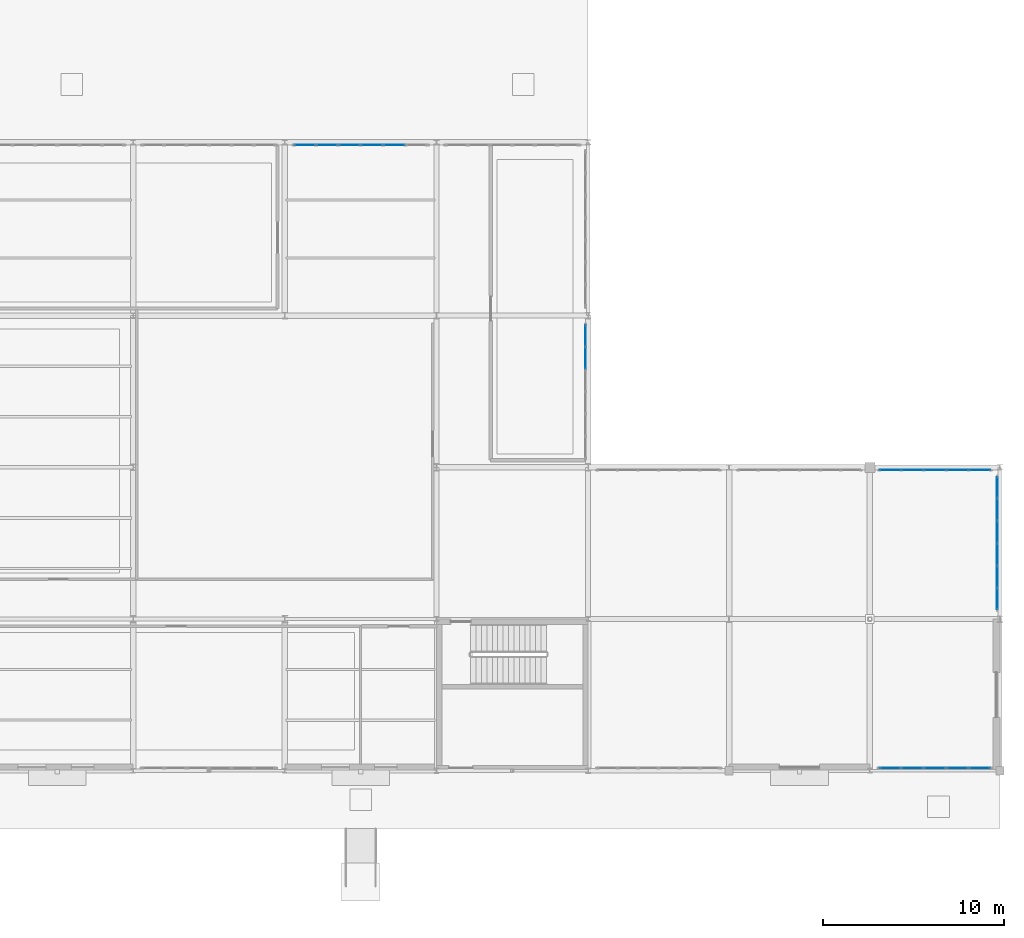
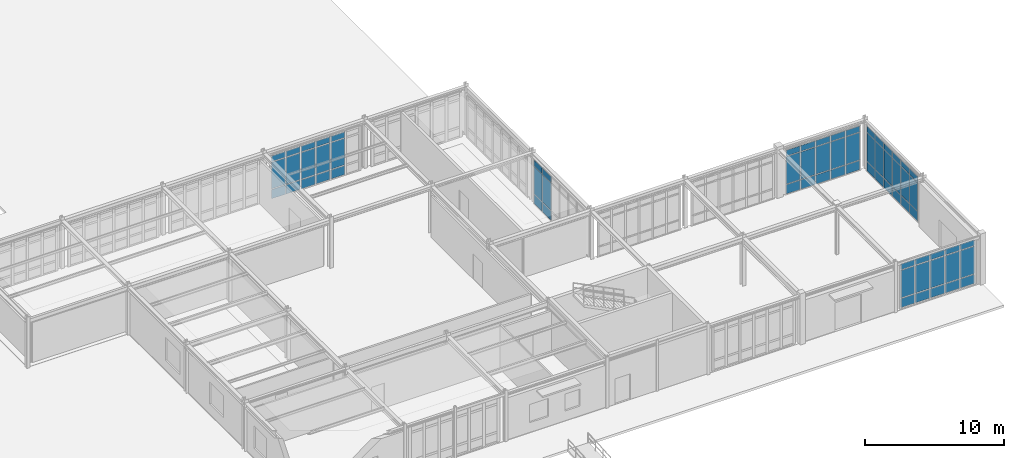
# One storey, part 72 of 101: 69 plates, 5 elements without a shape of their own.
"""IFC4 building model written with IfcOpenShell, lengths in metres."""

from ifc_helpers import new_model, si_unit, derived_unit, direction, frame, origin, origin_2d, place, context, subcontext, project, spatial, rectangle, extrude, material, layer, layer_set, type_object, element, aggregate, save


model = new_model("IFC4")

# Units and contexts
model_context = context("Model", 3, precision=1e-05, world=origin(), true_north=direction((0.0, 1.0)))
body_context = subcontext(model_context, "Body", "Model", "MODEL_VIEW")
ifc_project = project(units=[si_unit("LENGTHUNIT", "METRE"), si_unit("AREAUNIT", "SQUARE_METRE"), si_unit("VOLUMEUNIT", "CUBIC_METRE"), si_unit("PLANEANGLEUNIT", "RADIAN"), si_unit("MASSUNIT", "GRAM", prefix="KILO"), derived_unit("THERMALTRANSMITTANCEUNIT", [(si_unit("POWERUNIT", "WATT"), 1), (si_unit("AREAUNIT", "SQUARE_METRE"), -1), (si_unit("THERMODYNAMICTEMPERATUREUNIT", "KELVIN"), -1)])], contexts=[model_context])

# Site, building, storey
site_placement = place(None, origin())
site = spatial("IfcSite", under=ifc_project, at=site_placement, CompositionType="ELEMENT")
building_placement = place(site_placement, origin())
building = spatial("IfcBuilding", under=site, at=building_placement, Name="Yasenodar Specialist Clinic", CompositionType="ELEMENT")
storey_placement = place(building_placement, origin())
storey = spatial("IfcBuildingStorey", under=building, at=storey_placement, Name="L00", CompositionType="ELEMENT", Elevation=0.0)

# Curtain wall, plates
ifc_material_1 = material(Name="Bronze Anodized Aluminium and Triple Low-E Glass", Category="aluminium")
ifc_layer_1 = layer(ifc_material_1, 0.178955078125)
ifc_layer_set_1 = layer_set([ifc_layer_1], Name="Bronze Anodized Aluminium and Triple Low-E Glass")
curtain_wall_type = type_object("IfcCurtainWallType", Name="CW-SYS-02", PredefinedType="USERDEFINED", material=ifc_layer_set_1)
curtain_wall_1_placement = place(storey_placement, origin())
curtain_wall_1 = element("IfcCurtainWall", 1, at=curtain_wall_1_placement, inside=storey, type_object=curtain_wall_type, Name="L00 Unitised Curtain Wall 084", ObjectType="UNITISED CURTAIN WALL", PredefinedType="USERDEFINED")
ifc_material_2 = material(Name="Triple Low-E Argon Glazing", Category="glass")
ifc_layer_2 = layer(ifc_material_2, 0.028076171875)
ifc_layer_set_2 = layer_set([ifc_layer_2], Name="Triple Low-E Argon Glazing")
plate_type_1 = type_object("IfcPlateType", Name="CW-PAN-1", PredefinedType="CURTAIN_PANEL", material=ifc_layer_set_2)
plate_1_placement = place(storey_placement, frame((122.91748046875, 34.64990234375, 0.070068359375), z_axis=(0.0, 0.0, 1.0), x_axis=(1.0, 0.0, 0.0)))
plate_1 = element("IfcPlate", 2, at=plate_1_placement, type_object=plate_type_1, Name="CW-02 panel 1.1", PredefinedType="CURTAIN_PANEL", context=body_context, shape_type="SweptSolid", body=[
    extrude(rectangle(XDim=1.135009765625, YDim=0.028076171875, at=origin_2d()), origin(), (0.0, 0.0, 1.0), 0.794921875),
])
plate_2_placement = place(storey_placement, frame((122.91748046875, 34.64990234375, 0.93505859375), z_axis=(0.0, 0.0, 1.0), x_axis=(1.0, 0.0, 0.0)))
plate_2 = element("IfcPlate", 3, at=plate_2_placement, type_object=plate_type_1, Name="CW-02 panel 1.2", PredefinedType="CURTAIN_PANEL", context=body_context, shape_type="SweptSolid", body=[
    extrude(rectangle(XDim=1.135009765625, YDim=0.028076171875, at=origin_2d()), origin(), (0.0, 0.0, 1.0), 2.327880859375),
])
plate_3_placement = place(storey_placement, frame((122.91748046875, 34.64990234375, 3.3330078125), z_axis=(0.0, 0.0, 1.0), x_axis=(1.0, 0.0, 0.0)))
plate_3 = element("IfcPlate", 4, at=plate_3_placement, type_object=plate_type_1, Name="CW-02 panel 1.3", PredefinedType="CURTAIN_PANEL", context=body_context, shape_type="SweptSolid", body=[
    extrude(rectangle(XDim=1.135009765625, YDim=0.028076171875, at=origin_2d()), origin(), (0.0, 0.0, 1.0), 0.4951171875),
])
plate_4_placement = place(storey_placement, frame((124.139892578125, 34.64990234375, 0.070068359375), z_axis=(0.0, 0.0, 1.0), x_axis=(1.0, 0.0, 0.0)))
plate_4 = element("IfcPlate", 5, at=plate_4_placement, type_object=plate_type_1, Name="CW-02 panel 2.1", PredefinedType="CURTAIN_PANEL", context=body_context, shape_type="SweptSolid", body=[
    extrude(rectangle(XDim=1.169921875, YDim=0.028076171875, at=origin_2d()), origin(), (0.0, 0.0, 1.0), 0.794921875),
])
plate_5_placement = place(storey_placement, frame((124.139892578125, 34.64990234375, 0.93505859375), z_axis=(0.0, 0.0, 1.0), x_axis=(1.0, 0.0, 0.0)))
plate_5 = element("IfcPlate", 6, at=plate_5_placement, type_object=plate_type_1, Name="CW-02 panel 2.2", PredefinedType="CURTAIN_PANEL", context=body_context, shape_type="SweptSolid", body=[
    extrude(rectangle(XDim=1.169921875, YDim=0.028076171875, at=origin_2d()), origin(), (0.0, 0.0, 1.0), 2.327880859375),
])
plate_6_placement = place(storey_placement, frame((124.139892578125, 34.64990234375, 3.3330078125), z_axis=(0.0, 0.0, 1.0), x_axis=(1.0, 0.0, 0.0)))
plate_6 = element("IfcPlate", 7, at=plate_6_placement, type_object=plate_type_1, Name="CW-02 panel 2.3", PredefinedType="CURTAIN_PANEL", context=body_context, shape_type="SweptSolid", body=[
    extrude(rectangle(XDim=1.169921875, YDim=0.028076171875, at=origin_2d()), origin(), (0.0, 0.0, 1.0), 0.4951171875),
])
plate_7_placement = place(storey_placement, frame((125.3798828125, 34.64990234375, 0.070068359375), z_axis=(0.0, 0.0, 1.0), x_axis=(1.0, 0.0, 0.0)))
plate_7 = element("IfcPlate", 8, at=plate_7_placement, type_object=plate_type_1, Name="CW-02 panel 3.1", PredefinedType="CURTAIN_PANEL", context=body_context, shape_type="SweptSolid", body=[
    extrude(rectangle(XDim=1.169921875, YDim=0.028076171875, at=origin_2d()), origin(), (0.0, 0.0, 1.0), 0.794921875),
])
plate_8_placement = place(storey_placement, frame((125.3798828125, 34.64990234375, 0.93505859375), z_axis=(0.0, 0.0, 1.0), x_axis=(1.0, 0.0, 0.0)))
plate_8 = element("IfcPlate", 9, at=plate_8_placement, type_object=plate_type_1, Name="CW-02 panel 3.2", PredefinedType="CURTAIN_PANEL", context=body_context, shape_type="SweptSolid", body=[
    extrude(rectangle(XDim=1.169921875, YDim=0.028076171875, at=origin_2d()), origin(), (0.0, 0.0, 1.0), 2.327880859375),
])
plate_9_placement = place(storey_placement, frame((125.3798828125, 34.64990234375, 3.3330078125), z_axis=(0.0, 0.0, 1.0), x_axis=(1.0, 0.0, 0.0)))
plate_9 = element("IfcPlate", 10, at=plate_9_placement, type_object=plate_type_1, Name="CW-02 panel 3.3", PredefinedType="CURTAIN_PANEL", context=body_context, shape_type="SweptSolid", body=[
    extrude(rectangle(XDim=1.169921875, YDim=0.028076171875, at=origin_2d()), origin(), (0.0, 0.0, 1.0), 0.4951171875),
])
plate_10_placement = place(storey_placement, frame((126.6201171875, 34.64990234375, 0.070068359375), z_axis=(0.0, 0.0, 1.0), x_axis=(1.0, 0.0, 0.0)))
plate_10 = element("IfcPlate", 11, at=plate_10_placement, type_object=plate_type_1, Name="CW-02 panel 4.1", PredefinedType="CURTAIN_PANEL", context=body_context, shape_type="SweptSolid", body=[
    extrude(rectangle(XDim=1.169921875, YDim=0.028076171875, at=origin_2d()), origin(), (0.0, 0.0, 1.0), 0.794921875),
])
plate_11_placement = place(storey_placement, frame((126.6201171875, 34.64990234375, 0.93505859375), z_axis=(0.0, 0.0, 1.0), x_axis=(1.0, 0.0, 0.0)))
plate_11 = element("IfcPlate", 12, at=plate_11_placement, type_object=plate_type_1, Name="CW-02 panel 4.2", PredefinedType="CURTAIN_PANEL", context=body_context, shape_type="SweptSolid", body=[
    extrude(rectangle(XDim=1.169921875, YDim=0.028076171875, at=origin_2d()), origin(), (0.0, 0.0, 1.0), 2.327880859375),
])
plate_12_placement = place(storey_placement, frame((126.6201171875, 34.64990234375, 3.3330078125), z_axis=(0.0, 0.0, 1.0), x_axis=(1.0, 0.0, 0.0)))
plate_12 = element("IfcPlate", 13, at=plate_12_placement, type_object=plate_type_1, Name="CW-02 panel 4.3", PredefinedType="CURTAIN_PANEL", context=body_context, shape_type="SweptSolid", body=[
    extrude(rectangle(XDim=1.169921875, YDim=0.028076171875, at=origin_2d()), origin(), (0.0, 0.0, 1.0), 0.4951171875),
])
plate_13_placement = place(storey_placement, frame((127.860107421875, 34.64990234375, 0.070068359375), z_axis=(0.0, 0.0, 1.0), x_axis=(1.0, 0.0, 0.0)))
plate_13 = element("IfcPlate", 14, at=plate_13_placement, type_object=plate_type_1, Name="CW-02 panel 5.1", PredefinedType="CURTAIN_PANEL", context=body_context, shape_type="SweptSolid", body=[
    extrude(rectangle(XDim=1.169921875, YDim=0.028076171875, at=origin_2d()), origin(), (0.0, 0.0, 1.0), 0.794921875),
])
plate_14_placement = place(storey_placement, frame((127.860107421875, 34.64990234375, 0.93505859375), z_axis=(0.0, 0.0, 1.0), x_axis=(1.0, 0.0, 0.0)))
plate_14 = element("IfcPlate", 15, at=plate_14_placement, type_object=plate_type_1, Name="CW-02 panel 5.2", PredefinedType="CURTAIN_PANEL", context=body_context, shape_type="SweptSolid", body=[
    extrude(rectangle(XDim=1.169921875, YDim=0.028076171875, at=origin_2d()), origin(), (0.0, 0.0, 1.0), 2.327880859375),
])
plate_15_placement = place(storey_placement, frame((127.860107421875, 34.64990234375, 3.3330078125), z_axis=(0.0, 0.0, 1.0), x_axis=(1.0, 0.0, 0.0)))
plate_15 = element("IfcPlate", 16, at=plate_15_placement, type_object=plate_type_1, Name="CW-02 panel 5.3", PredefinedType="CURTAIN_PANEL", context=body_context, shape_type="SweptSolid", body=[
    extrude(rectangle(XDim=1.169921875, YDim=0.028076171875, at=origin_2d()), origin(), (0.0, 0.0, 1.0), 0.4951171875),
])
aggregate(curtain_wall_1, [plate_1, plate_2, plate_3, plate_4, plate_5, plate_6, plate_7, plate_8, plate_9, plate_10, plate_11, plate_12, plate_13, plate_14, plate_15])

curtain_wall_2_placement = place(storey_placement, origin())
curtain_wall_2 = element("IfcCurtainWall", 17, at=curtain_wall_2_placement, inside=storey, type_object=curtain_wall_type, Name="L00 Unitised Curtain Wall 089", ObjectType="UNITISED CURTAIN WALL", PredefinedType="USERDEFINED")
ifc_layer_3 = layer(ifc_material_2, 0.033935546875)
ifc_layer_set_3 = layer_set([ifc_layer_3], Name="Triple Low-E Argon Glazing")
plate_type_2 = type_object("IfcPlateType", Name="CW-PAN-2", PredefinedType="CURTAIN_PANEL", material=ifc_layer_set_3)
plate_16_placement = place(storey_placement, frame((155.319091796875, 16.64990234375, 0.06005859375), z_axis=(0.0, 0.0, 1.0), x_axis=(1.0, 0.0, 0.0)))
plate_16 = element("IfcPlate", 18, at=plate_16_placement, type_object=plate_type_2, Name="CW-02 panel 1.1", PredefinedType="CURTAIN_PANEL", context=body_context, shape_type="SweptSolid", body=[
    extrude(rectangle(XDim=1.157958984375, YDim=0.033935546875, at=origin_2d()), origin(), (0.0, 0.0, 1.0), 0.81005859375),
])
plate_17_placement = place(storey_placement, frame((155.319091796875, 16.64990234375, 0.929931640625), z_axis=(0.0, 0.0, 1.0), x_axis=(1.0, 0.0, 0.0)))
plate_17 = element("IfcPlate", 19, at=plate_17_placement, type_object=plate_type_2, Name="CW-02 panel 1.2", PredefinedType="CURTAIN_PANEL", context=body_context, shape_type="SweptSolid", body=[
    extrude(rectangle(XDim=1.157958984375, YDim=0.033935546875, at=origin_2d()), origin(), (0.0, 0.0, 1.0), 2.39794921875),
])
plate_18_placement = place(storey_placement, frame((155.319091796875, 16.64990234375, 3.38818359375), z_axis=(0.0, 0.0, 1.0), x_axis=(1.0, 0.0, 0.0)))
plate_18 = element("IfcPlate", 20, at=plate_18_placement, type_object=plate_type_2, Name="CW-02 panel 1.3", PredefinedType="CURTAIN_PANEL", context=body_context, shape_type="SweptSolid", body=[
    extrude(rectangle(XDim=1.157958984375, YDim=0.033935546875, at=origin_2d()), origin(), (0.0, 0.0, 1.0), 0.510009765625),
])
plate_19_placement = place(storey_placement, frame((156.552001953125, 16.64990234375, 0.06005859375), z_axis=(0.0, 0.0, 1.0), x_axis=(1.0, 0.0, 0.0)))
plate_19 = element("IfcPlate", 21, at=plate_19_placement, type_object=plate_type_2, Name="CW-02 panel 2.1", PredefinedType="CURTAIN_PANEL", context=body_context, shape_type="SweptSolid", body=[
    extrude(rectangle(XDim=1.18798828125, YDim=0.033935546875, at=origin_2d()), origin(), (0.0, 0.0, 1.0), 0.81005859375),
])
plate_20_placement = place(storey_placement, frame((156.552001953125, 16.64990234375, 0.929931640625), z_axis=(0.0, 0.0, 1.0), x_axis=(1.0, 0.0, 0.0)))
plate_20 = element("IfcPlate", 22, at=plate_20_placement, type_object=plate_type_2, Name="CW-02 panel 2.2", PredefinedType="CURTAIN_PANEL", context=body_context, shape_type="SweptSolid", body=[
    extrude(rectangle(XDim=1.18798828125, YDim=0.033935546875, at=origin_2d()), origin(), (0.0, 0.0, 1.0), 2.39794921875),
])
plate_21_placement = place(storey_placement, frame((156.552001953125, 16.64990234375, 3.38818359375), z_axis=(0.0, 0.0, 1.0), x_axis=(1.0, 0.0, 0.0)))
plate_21 = element("IfcPlate", 23, at=plate_21_placement, type_object=plate_type_2, Name="CW-02 panel 2.3", PredefinedType="CURTAIN_PANEL", context=body_context, shape_type="SweptSolid", body=[
    extrude(rectangle(XDim=1.18798828125, YDim=0.033935546875, at=origin_2d()), origin(), (0.0, 0.0, 1.0), 0.510009765625),
])
plate_22_placement = place(storey_placement, frame((157.800048828125, 16.64990234375, 0.06005859375), z_axis=(0.0, 0.0, 1.0), x_axis=(1.0, 0.0, 0.0)))
plate_22 = element("IfcPlate", 24, at=plate_22_placement, type_object=plate_type_2, Name="CW-02 panel 3.1", PredefinedType="CURTAIN_PANEL", context=body_context, shape_type="SweptSolid", body=[
    extrude(rectangle(XDim=1.18798828125, YDim=0.033935546875, at=origin_2d()), origin(), (0.0, 0.0, 1.0), 0.81005859375),
])
plate_23_placement = place(storey_placement, frame((157.800048828125, 16.64990234375, 0.929931640625), z_axis=(0.0, 0.0, 1.0), x_axis=(1.0, 0.0, 0.0)))
plate_23 = element("IfcPlate", 25, at=plate_23_placement, type_object=plate_type_2, Name="CW-02 panel 3.2", PredefinedType="CURTAIN_PANEL", context=body_context, shape_type="SweptSolid", body=[
    extrude(rectangle(XDim=1.18798828125, YDim=0.033935546875, at=origin_2d()), origin(), (0.0, 0.0, 1.0), 2.39794921875),
])
plate_24_placement = place(storey_placement, frame((157.800048828125, 16.64990234375, 3.38818359375), z_axis=(0.0, 0.0, 1.0), x_axis=(1.0, 0.0, 0.0)))
plate_24 = element("IfcPlate", 26, at=plate_24_placement, type_object=plate_type_2, Name="CW-02 panel 3.3", PredefinedType="CURTAIN_PANEL", context=body_context, shape_type="SweptSolid", body=[
    extrude(rectangle(XDim=1.18798828125, YDim=0.033935546875, at=origin_2d()), origin(), (0.0, 0.0, 1.0), 0.510009765625),
])
plate_25_placement = place(storey_placement, frame((159.048095703125, 16.64990234375, 0.06005859375), z_axis=(0.0, 0.0, 1.0), x_axis=(1.0, 0.0, 0.0)))
plate_25 = element("IfcPlate", 27, at=plate_25_placement, type_object=plate_type_2, Name="CW-02 panel 4.1", PredefinedType="CURTAIN_PANEL", context=body_context, shape_type="SweptSolid", body=[
    extrude(rectangle(XDim=1.18798828125, YDim=0.033935546875, at=origin_2d()), origin(), (0.0, 0.0, 1.0), 0.81005859375),
])
plate_26_placement = place(storey_placement, frame((159.048095703125, 16.64990234375, 0.929931640625), z_axis=(0.0, 0.0, 1.0), x_axis=(1.0, 0.0, 0.0)))
plate_26 = element("IfcPlate", 28, at=plate_26_placement, type_object=plate_type_2, Name="CW-02 panel 4.2", PredefinedType="CURTAIN_PANEL", context=body_context, shape_type="SweptSolid", body=[
    extrude(rectangle(XDim=1.18798828125, YDim=0.033935546875, at=origin_2d()), origin(), (0.0, 0.0, 1.0), 2.39794921875),
])
plate_27_placement = place(storey_placement, frame((159.048095703125, 16.64990234375, 3.38818359375), z_axis=(0.0, 0.0, 1.0), x_axis=(1.0, 0.0, 0.0)))
plate_27 = element("IfcPlate", 29, at=plate_27_placement, type_object=plate_type_2, Name="CW-02 panel 4.3", PredefinedType="CURTAIN_PANEL", context=body_context, shape_type="SweptSolid", body=[
    extrude(rectangle(XDim=1.18798828125, YDim=0.033935546875, at=origin_2d()), origin(), (0.0, 0.0, 1.0), 0.510009765625),
])
plate_28_placement = place(storey_placement, frame((160.281005859375, 16.64990234375, 0.06005859375), z_axis=(0.0, 0.0, 1.0), x_axis=(1.0, 0.0, 0.0)))
plate_28 = element("IfcPlate", 30, at=plate_28_placement, type_object=plate_type_2, Name="CW-02 panel 5.1", PredefinedType="CURTAIN_PANEL", context=body_context, shape_type="SweptSolid", body=[
    extrude(rectangle(XDim=1.157958984375, YDim=0.033935546875, at=origin_2d()), origin(), (0.0, 0.0, 1.0), 0.81005859375),
])
plate_29_placement = place(storey_placement, frame((160.281005859375, 16.64990234375, 0.929931640625), z_axis=(0.0, 0.0, 1.0), x_axis=(1.0, 0.0, 0.0)))
plate_29 = element("IfcPlate", 31, at=plate_29_placement, type_object=plate_type_2, Name="CW-02 panel 5.2", PredefinedType="CURTAIN_PANEL", context=body_context, shape_type="SweptSolid", body=[
    extrude(rectangle(XDim=1.157958984375, YDim=0.033935546875, at=origin_2d()), origin(), (0.0, 0.0, 1.0), 2.39794921875),
])
plate_30_placement = place(storey_placement, frame((160.281005859375, 16.64990234375, 3.38818359375), z_axis=(0.0, 0.0, 1.0), x_axis=(1.0, 0.0, 0.0)))
plate_30 = element("IfcPlate", 32, at=plate_30_placement, type_object=plate_type_2, Name="CW-02 panel 5.3", PredefinedType="CURTAIN_PANEL", context=body_context, shape_type="SweptSolid", body=[
    extrude(rectangle(XDim=1.157958984375, YDim=0.033935546875, at=origin_2d()), origin(), (0.0, 0.0, 1.0), 0.510009765625),
])
aggregate(curtain_wall_2, [plate_16, plate_17, plate_18, plate_19, plate_20, plate_21, plate_22, plate_23, plate_24, plate_25, plate_26, plate_27, plate_28, plate_29, plate_30])

curtain_wall_3_placement = place(storey_placement, origin())
curtain_wall_3 = element("IfcCurtainWall", 33, at=curtain_wall_3_placement, inside=storey, type_object=curtain_wall_type, Name="L00 Unitised Curtain Wall 078", ObjectType="UNITISED CURTAIN WALL", PredefinedType="USERDEFINED")
ifc_layer_4 = layer(ifc_material_2, 0.0400390625)
ifc_layer_set_4 = layer_set([ifc_layer_4], Name="Triple Low-E Argon Glazing")
plate_type_3 = type_object("IfcPlateType", Name="CW-PAN-3", PredefinedType="CURTAIN_PANEL", material=ifc_layer_set_4)
plate_31_placement = place(storey_placement, frame((160.278564453125, 0.14990234375, 0.070068359375), z_axis=(0.0, 0.0, 1.0), x_axis=(-1.0, 0.0, 0.0)))
plate_31 = element("IfcPlate", 34, at=plate_31_placement, type_object=plate_type_3, Name="CW-02 panel 1.1", PredefinedType="CURTAIN_PANEL", context=body_context, shape_type="SweptSolid", body=[
    extrude(rectangle(XDim=1.14306640625, YDim=0.0400390625, at=origin_2d()), origin(), (0.0, 0.0, 1.0), 0.794921875),
])
plate_32_placement = place(storey_placement, frame((160.278564453125, 0.14990234375, 0.93505859375), z_axis=(0.0, 0.0, 1.0), x_axis=(-1.0, 0.0, 0.0)))
plate_32 = element("IfcPlate", 35, at=plate_32_placement, type_object=plate_type_3, Name="CW-02 panel 1.2", PredefinedType="CURTAIN_PANEL", context=body_context, shape_type="SweptSolid", body=[
    extrude(rectangle(XDim=1.14306640625, YDim=0.0400390625, at=origin_2d()), origin(), (0.0, 0.0, 1.0), 2.407958984375),
])
plate_33_placement = place(storey_placement, frame((160.278564453125, 0.14990234375, 3.412841796875), z_axis=(0.0, 0.0, 1.0), x_axis=(-1.0, 0.0, 0.0)))
plate_33 = element("IfcPlate", 36, at=plate_33_placement, type_object=plate_type_3, Name="CW-02 panel 1.3", PredefinedType="CURTAIN_PANEL", context=body_context, shape_type="SweptSolid", body=[
    extrude(rectangle(XDim=1.14306640625, YDim=0.0400390625, at=origin_2d()), origin(), (0.0, 0.0, 1.0), 0.4951171875),
])
plate_34_placement = place(storey_placement, frame((159.048095703125, 0.14990234375, 0.070068359375), z_axis=(0.0, 0.0, 1.0), x_axis=(-1.0, 0.0, 0.0)))
plate_34 = element("IfcPlate", 37, at=plate_34_placement, type_object=plate_type_3, Name="CW-02 panel 2.1", PredefinedType="CURTAIN_PANEL", context=body_context, shape_type="SweptSolid", body=[
    extrude(rectangle(XDim=1.177978515625, YDim=0.0400390625, at=origin_2d()), origin(), (0.0, 0.0, 1.0), 0.794921875),
])
plate_35_placement = place(storey_placement, frame((159.048095703125, 0.14990234375, 0.93505859375), z_axis=(0.0, 0.0, 1.0), x_axis=(-1.0, 0.0, 0.0)))
plate_35 = element("IfcPlate", 38, at=plate_35_placement, type_object=plate_type_3, Name="CW-02 panel 2.2", PredefinedType="CURTAIN_PANEL", context=body_context, shape_type="SweptSolid", body=[
    extrude(rectangle(XDim=1.177978515625, YDim=0.0400390625, at=origin_2d()), origin(), (0.0, 0.0, 1.0), 2.407958984375),
])
plate_36_placement = place(storey_placement, frame((159.048095703125, 0.14990234375, 3.412841796875), z_axis=(0.0, 0.0, 1.0), x_axis=(-1.0, 0.0, 0.0)))
plate_36 = element("IfcPlate", 39, at=plate_36_placement, type_object=plate_type_3, Name="CW-02 panel 2.3", PredefinedType="CURTAIN_PANEL", context=body_context, shape_type="SweptSolid", body=[
    extrude(rectangle(XDim=1.177978515625, YDim=0.0400390625, at=origin_2d()), origin(), (0.0, 0.0, 1.0), 0.4951171875),
])
plate_37_placement = place(storey_placement, frame((157.800048828125, 0.14990234375, 0.070068359375), z_axis=(0.0, 0.0, 1.0), x_axis=(-1.0, 0.0, 0.0)))
plate_37 = element("IfcPlate", 40, at=plate_37_placement, type_object=plate_type_3, Name="CW-02 panel 3.1", PredefinedType="CURTAIN_PANEL", context=body_context, shape_type="SweptSolid", body=[
    extrude(rectangle(XDim=1.177978515625, YDim=0.0400390625, at=origin_2d()), origin(), (0.0, 0.0, 1.0), 0.794921875),
])
plate_38_placement = place(storey_placement, frame((157.800048828125, 0.14990234375, 0.93505859375), z_axis=(0.0, 0.0, 1.0), x_axis=(-1.0, 0.0, 0.0)))
plate_38 = element("IfcPlate", 41, at=plate_38_placement, type_object=plate_type_3, Name="CW-02 panel 3.2", PredefinedType="CURTAIN_PANEL", context=body_context, shape_type="SweptSolid", body=[
    extrude(rectangle(XDim=1.177978515625, YDim=0.0400390625, at=origin_2d()), origin(), (0.0, 0.0, 1.0), 2.407958984375),
])
plate_39_placement = place(storey_placement, frame((157.800048828125, 0.14990234375, 3.412841796875), z_axis=(0.0, 0.0, 1.0), x_axis=(-1.0, 0.0, 0.0)))
plate_39 = element("IfcPlate", 42, at=plate_39_placement, type_object=plate_type_3, Name="CW-02 panel 3.3", PredefinedType="CURTAIN_PANEL", context=body_context, shape_type="SweptSolid", body=[
    extrude(rectangle(XDim=1.177978515625, YDim=0.0400390625, at=origin_2d()), origin(), (0.0, 0.0, 1.0), 0.4951171875),
])
plate_40_placement = place(storey_placement, frame((156.552001953125, 0.14990234375, 0.070068359375), z_axis=(0.0, 0.0, 1.0), x_axis=(-1.0, 0.0, 0.0)))
plate_40 = element("IfcPlate", 43, at=plate_40_placement, type_object=plate_type_3, Name="CW-02 panel 4.1", PredefinedType="CURTAIN_PANEL", context=body_context, shape_type="SweptSolid", body=[
    extrude(rectangle(XDim=1.177978515625, YDim=0.0400390625, at=origin_2d()), origin(), (0.0, 0.0, 1.0), 0.794921875),
])
plate_41_placement = place(storey_placement, frame((156.552001953125, 0.14990234375, 0.93505859375), z_axis=(0.0, 0.0, 1.0), x_axis=(-1.0, 0.0, 0.0)))
plate_41 = element("IfcPlate", 44, at=plate_41_placement, type_object=plate_type_3, Name="CW-02 panel 4.2", PredefinedType="CURTAIN_PANEL", context=body_context, shape_type="SweptSolid", body=[
    extrude(rectangle(XDim=1.177978515625, YDim=0.0400390625, at=origin_2d()), origin(), (0.0, 0.0, 1.0), 2.407958984375),
])
plate_42_placement = place(storey_placement, frame((156.552001953125, 0.14990234375, 3.412841796875), z_axis=(0.0, 0.0, 1.0), x_axis=(-1.0, 0.0, 0.0)))
plate_42 = element("IfcPlate", 45, at=plate_42_placement, type_object=plate_type_3, Name="CW-02 panel 4.3", PredefinedType="CURTAIN_PANEL", context=body_context, shape_type="SweptSolid", body=[
    extrude(rectangle(XDim=1.177978515625, YDim=0.0400390625, at=origin_2d()), origin(), (0.0, 0.0, 1.0), 0.4951171875),
])
plate_43_placement = place(storey_placement, frame((155.321533203125, 0.14990234375, 0.070068359375), z_axis=(0.0, 0.0, 1.0), x_axis=(-1.0, 0.0, 0.0)))
plate_43 = element("IfcPlate", 46, at=plate_43_placement, type_object=plate_type_3, Name="CW-02 panel 5.1", PredefinedType="CURTAIN_PANEL", context=body_context, shape_type="SweptSolid", body=[
    extrude(rectangle(XDim=1.14306640625, YDim=0.0400390625, at=origin_2d()), origin(), (0.0, 0.0, 1.0), 0.794921875),
])
plate_44_placement = place(storey_placement, frame((155.321533203125, 0.14990234375, 0.93505859375), z_axis=(0.0, 0.0, 1.0), x_axis=(-1.0, 0.0, 0.0)))
plate_44 = element("IfcPlate", 47, at=plate_44_placement, type_object=plate_type_3, Name="CW-02 panel 5.2", PredefinedType="CURTAIN_PANEL", context=body_context, shape_type="SweptSolid", body=[
    extrude(rectangle(XDim=1.14306640625, YDim=0.0400390625, at=origin_2d()), origin(), (0.0, 0.0, 1.0), 2.407958984375),
])
plate_45_placement = place(storey_placement, frame((155.321533203125, 0.14990234375, 3.412841796875), z_axis=(0.0, 0.0, 1.0), x_axis=(-1.0, 0.0, 0.0)))
plate_45 = element("IfcPlate", 48, at=plate_45_placement, type_object=plate_type_3, Name="CW-02 panel 5.3", PredefinedType="CURTAIN_PANEL", context=body_context, shape_type="SweptSolid", body=[
    extrude(rectangle(XDim=1.14306640625, YDim=0.0400390625, at=origin_2d()), origin(), (0.0, 0.0, 1.0), 0.4951171875),
])
aggregate(curtain_wall_3, [plate_31, plate_32, plate_33, plate_34, plate_35, plate_36, plate_37, plate_38, plate_39, plate_40, plate_41, plate_42, plate_43, plate_44, plate_45])

curtain_wall_4_placement = place(storey_placement, origin())
curtain_wall_4 = element("IfcCurtainWall", 49, at=curtain_wall_4_placement, inside=storey, type_object=curtain_wall_type, Name="L00 Unitised Curtain Wall 086", ObjectType="UNITISED CURTAIN WALL", PredefinedType="USERDEFINED")
plate_46_placement = place(storey_placement, frame((161.25, 15.68505859375, 0.06005859375), z_axis=(0.0, 0.0, 1.0), x_axis=(0.0, -1.0, 0.0)))
plate_46 = element("IfcPlate", 50, at=plate_46_placement, type_object=plate_type_3, Name="CW-02 panel 1.1", PredefinedType="CURTAIN_PANEL", context=body_context, shape_type="SweptSolid", body=[
    extrude(rectangle(XDim=1.14990234375, YDim=0.0400390625, at=origin_2d()), origin(), (0.0, 0.0, 1.0), 0.81005859375),
])
plate_47_placement = place(storey_placement, frame((161.25, 15.68505859375, 0.929931640625), z_axis=(0.0, 0.0, 1.0), x_axis=(0.0, -1.0, 0.0)))
plate_47 = element("IfcPlate", 51, at=plate_47_placement, type_object=plate_type_3, Name="CW-02 panel 1.2", PredefinedType="CURTAIN_PANEL", context=body_context, shape_type="SweptSolid", body=[
    extrude(rectangle(XDim=1.14990234375, YDim=0.0400390625, at=origin_2d()), origin(), (0.0, 0.0, 1.0), 2.47802734375),
])
plate_48_placement = place(storey_placement, frame((161.25, 15.68505859375, 3.4677734375), z_axis=(0.0, 0.0, 1.0), x_axis=(0.0, -1.0, 0.0)))
plate_48 = element("IfcPlate", 52, at=plate_48_placement, type_object=plate_type_3, Name="CW-02 panel 1.3", PredefinedType="CURTAIN_PANEL", context=body_context, shape_type="SweptSolid", body=[
    extrude(rectangle(XDim=1.14990234375, YDim=0.0400390625, at=origin_2d()), origin(), (0.0, 0.0, 1.0), 0.510009765625),
])
plate_49_placement = place(storey_placement, frame((161.25, 14.4599609375, 0.06005859375), z_axis=(0.0, 0.0, 1.0), x_axis=(0.0, -1.0, 0.0)))
plate_49 = element("IfcPlate", 53, at=plate_49_placement, type_object=plate_type_3, Name="CW-02 panel 2.1", PredefinedType="CURTAIN_PANEL", context=body_context, shape_type="SweptSolid", body=[
    extrude(rectangle(XDim=1.179931640625, YDim=0.0400390625, at=origin_2d()), origin(), (0.0, 0.0, 1.0), 0.81005859375),
])
plate_50_placement = place(storey_placement, frame((161.25, 14.4599609375, 0.929931640625), z_axis=(0.0, 0.0, 1.0), x_axis=(0.0, -1.0, 0.0)))
plate_50 = element("IfcPlate", 54, at=plate_50_placement, type_object=plate_type_3, Name="CW-02 panel 2.2", PredefinedType="CURTAIN_PANEL", context=body_context, shape_type="SweptSolid", body=[
    extrude(rectangle(XDim=1.179931640625, YDim=0.0400390625, at=origin_2d()), origin(), (0.0, 0.0, 1.0), 2.47802734375),
])
plate_51_placement = place(storey_placement, frame((161.25, 14.4599609375, 3.4677734375), z_axis=(0.0, 0.0, 1.0), x_axis=(0.0, -1.0, 0.0)))
plate_51 = element("IfcPlate", 55, at=plate_51_placement, type_object=plate_type_3, Name="CW-02 panel 2.3", PredefinedType="CURTAIN_PANEL", context=body_context, shape_type="SweptSolid", body=[
    extrude(rectangle(XDim=1.179931640625, YDim=0.0400390625, at=origin_2d()), origin(), (0.0, 0.0, 1.0), 0.510009765625),
])
plate_52_placement = place(storey_placement, frame((161.25, 13.219970703125, 0.06005859375), z_axis=(0.0, 0.0, 1.0), x_axis=(0.0, -1.0, 0.0)))
plate_52 = element("IfcPlate", 56, at=plate_52_placement, type_object=plate_type_3, Name="CW-02 panel 3.1", PredefinedType="CURTAIN_PANEL", context=body_context, shape_type="SweptSolid", body=[
    extrude(rectangle(XDim=1.179931640625, YDim=0.0400390625, at=origin_2d()), origin(), (0.0, 0.0, 1.0), 0.81005859375),
])
plate_53_placement = place(storey_placement, frame((161.25, 13.219970703125, 0.929931640625), z_axis=(0.0, 0.0, 1.0), x_axis=(0.0, -1.0, 0.0)))
plate_53 = element("IfcPlate", 57, at=plate_53_placement, type_object=plate_type_3, Name="CW-02 panel 3.2", PredefinedType="CURTAIN_PANEL", context=body_context, shape_type="SweptSolid", body=[
    extrude(rectangle(XDim=1.179931640625, YDim=0.0400390625, at=origin_2d()), origin(), (0.0, 0.0, 1.0), 2.47802734375),
])
plate_54_placement = place(storey_placement, frame((161.25, 13.219970703125, 3.4677734375), z_axis=(0.0, 0.0, 1.0), x_axis=(0.0, -1.0, 0.0)))
plate_54 = element("IfcPlate", 58, at=plate_54_placement, type_object=plate_type_3, Name="CW-02 panel 3.3", PredefinedType="CURTAIN_PANEL", context=body_context, shape_type="SweptSolid", body=[
    extrude(rectangle(XDim=1.179931640625, YDim=0.0400390625, at=origin_2d()), origin(), (0.0, 0.0, 1.0), 0.510009765625),
])
plate_55_placement = place(storey_placement, frame((161.25, 11.97998046875, 0.06005859375), z_axis=(0.0, 0.0, 1.0), x_axis=(0.0, -1.0, 0.0)))
plate_55 = element("IfcPlate", 59, at=plate_55_placement, type_object=plate_type_3, Name="CW-02 panel 4.1", PredefinedType="CURTAIN_PANEL", context=body_context, shape_type="SweptSolid", body=[
    extrude(rectangle(XDim=1.179931640625, YDim=0.0400390625, at=origin_2d()), origin(), (0.0, 0.0, 1.0), 0.81005859375),
])
plate_56_placement = place(storey_placement, frame((161.25, 11.97998046875, 0.929931640625), z_axis=(0.0, 0.0, 1.0), x_axis=(0.0, -1.0, 0.0)))
plate_56 = element("IfcPlate", 60, at=plate_56_placement, type_object=plate_type_3, Name="CW-02 panel 4.2", PredefinedType="CURTAIN_PANEL", context=body_context, shape_type="SweptSolid", body=[
    extrude(rectangle(XDim=1.179931640625, YDim=0.0400390625, at=origin_2d()), origin(), (0.0, 0.0, 1.0), 2.47802734375),
])
plate_57_placement = place(storey_placement, frame((161.25, 11.97998046875, 3.4677734375), z_axis=(0.0, 0.0, 1.0), x_axis=(0.0, -1.0, 0.0)))
plate_57 = element("IfcPlate", 61, at=plate_57_placement, type_object=plate_type_3, Name="CW-02 panel 4.3", PredefinedType="CURTAIN_PANEL", context=body_context, shape_type="SweptSolid", body=[
    extrude(rectangle(XDim=1.179931640625, YDim=0.0400390625, at=origin_2d()), origin(), (0.0, 0.0, 1.0), 0.510009765625),
])
plate_58_placement = place(storey_placement, frame((161.25, 10.739990234375, 0.06005859375), z_axis=(0.0, 0.0, 1.0), x_axis=(0.0, -1.0, 0.0)))
plate_58 = element("IfcPlate", 62, at=plate_58_placement, type_object=plate_type_3, Name="CW-02 panel 5.1", PredefinedType="CURTAIN_PANEL", context=body_context, shape_type="SweptSolid", body=[
    extrude(rectangle(XDim=1.179931640625, YDim=0.0400390625, at=origin_2d()), origin(), (0.0, 0.0, 1.0), 0.81005859375),
])
plate_59_placement = place(storey_placement, frame((161.25, 10.739990234375, 0.929931640625), z_axis=(0.0, 0.0, 1.0), x_axis=(0.0, -1.0, 0.0)))
plate_59 = element("IfcPlate", 63, at=plate_59_placement, type_object=plate_type_3, Name="CW-02 panel 5.2", PredefinedType="CURTAIN_PANEL", context=body_context, shape_type="SweptSolid", body=[
    extrude(rectangle(XDim=1.179931640625, YDim=0.0400390625, at=origin_2d()), origin(), (0.0, 0.0, 1.0), 2.47802734375),
])
plate_60_placement = place(storey_placement, frame((161.25, 10.739990234375, 3.4677734375), z_axis=(0.0, 0.0, 1.0), x_axis=(0.0, -1.0, 0.0)))
plate_60 = element("IfcPlate", 64, at=plate_60_placement, type_object=plate_type_3, Name="CW-02 panel 5.3", PredefinedType="CURTAIN_PANEL", context=body_context, shape_type="SweptSolid", body=[
    extrude(rectangle(XDim=1.179931640625, YDim=0.0400390625, at=origin_2d()), origin(), (0.0, 0.0, 1.0), 0.510009765625),
])
plate_61_placement = place(storey_placement, frame((161.25, 9.514892578125, 0.06005859375), z_axis=(0.0, 0.0, 1.0), x_axis=(0.0, -1.0, 0.0)))
plate_61 = element("IfcPlate", 65, at=plate_61_placement, type_object=plate_type_3, Name="CW-02 panel 6.1", PredefinedType="CURTAIN_PANEL", context=body_context, shape_type="SweptSolid", body=[
    extrude(rectangle(XDim=1.14990234375, YDim=0.0400390625, at=origin_2d()), origin(), (0.0, 0.0, 1.0), 0.81005859375),
])
plate_62_placement = place(storey_placement, frame((161.25, 9.514892578125, 0.929931640625), z_axis=(0.0, 0.0, 1.0), x_axis=(0.0, -1.0, 0.0)))
plate_62 = element("IfcPlate", 66, at=plate_62_placement, type_object=plate_type_3, Name="CW-02 panel 6.2", PredefinedType="CURTAIN_PANEL", context=body_context, shape_type="SweptSolid", body=[
    extrude(rectangle(XDim=1.14990234375, YDim=0.0400390625, at=origin_2d()), origin(), (0.0, 0.0, 1.0), 2.47802734375),
])
plate_63_placement = place(storey_placement, frame((161.25, 9.514892578125, 3.4677734375), z_axis=(0.0, 0.0, 1.0), x_axis=(0.0, -1.0, 0.0)))
plate_63 = element("IfcPlate", 67, at=plate_63_placement, type_object=plate_type_3, Name="CW-02 panel 6.3", PredefinedType="CURTAIN_PANEL", context=body_context, shape_type="SweptSolid", body=[
    extrude(rectangle(XDim=1.14990234375, YDim=0.0400390625, at=origin_2d()), origin(), (0.0, 0.0, 1.0), 0.510009765625),
])
aggregate(curtain_wall_4, [plate_46, plate_47, plate_48, plate_49, plate_50, plate_51, plate_52, plate_53, plate_54, plate_55, plate_56, plate_57, plate_58, plate_59, plate_60, plate_61, plate_62, plate_63])

curtain_wall_5_placement = place(storey_placement, origin())
curtain_wall_5 = element("IfcCurtainWall", 68, at=curtain_wall_5_placement, inside=storey, type_object=curtain_wall_type, Name="L00 Unitised Curtain Wall 091", ObjectType="UNITISED CURTAIN WALL", PredefinedType="USERDEFINED")
ifc_layer_5 = layer(ifc_material_2, 0.0458984375)
ifc_layer_set_5 = layer_set([ifc_layer_5], Name="Triple Low-E Argon Glazing")
plate_type_4 = type_object("IfcPlateType", Name="CW-PAN-4", PredefinedType="CURTAIN_PANEL", material=ifc_layer_set_5)
plate_64_placement = place(storey_placement, frame((138.449951171875, 24.0849609375, 0.06005859375), z_axis=(0.0, 0.0, 1.0), x_axis=(0.0, -1.0, 0.0)))
plate_64 = element("IfcPlate", 69, at=plate_64_placement, type_object=plate_type_4, Name="CW-02 panel 1.1", PredefinedType="CURTAIN_PANEL", context=body_context, shape_type="SweptSolid", body=[
    extrude(rectangle(XDim=1.14990234375, YDim=0.0458984375, at=origin_2d()), origin(), (0.0, 0.0, 1.0), 0.81005859375),
])
plate_65_placement = place(storey_placement, frame((138.449951171875, 24.0849609375, 0.929931640625), z_axis=(0.0, 0.0, 1.0), x_axis=(0.0, -1.0, 0.0)))
plate_65 = element("IfcPlate", 70, at=plate_65_placement, type_object=plate_type_4, Name="CW-02 panel 1.2", PredefinedType="CURTAIN_PANEL", context=body_context, shape_type="SweptSolid", body=[
    extrude(rectangle(XDim=1.14990234375, YDim=0.0458984375, at=origin_2d()), origin(), (0.0, 0.0, 1.0), 2.3779296875),
])
plate_66_placement = place(storey_placement, frame((138.449951171875, 24.0849609375, 3.3681640625), z_axis=(0.0, 0.0, 1.0), x_axis=(0.0, -1.0, 0.0)))
plate_66 = element("IfcPlate", 71, at=plate_66_placement, type_object=plate_type_4, Name="CW-02 panel 1.3", PredefinedType="CURTAIN_PANEL", context=body_context, shape_type="SweptSolid", body=[
    extrude(rectangle(XDim=1.14990234375, YDim=0.0458984375, at=origin_2d()), origin(), (0.0, 0.0, 1.0), 0.510009765625),
])
plate_67_placement = place(storey_placement, frame((138.449951171875, 22.860107421875, 0.06005859375), z_axis=(0.0, 0.0, 1.0), x_axis=(0.0, -1.0, 0.0)))
plate_67 = element("IfcPlate", 72, at=plate_67_placement, type_object=plate_type_4, Name="CW-02 panel 2.1", PredefinedType="CURTAIN_PANEL", context=body_context, shape_type="SweptSolid", body=[
    extrude(rectangle(XDim=1.179931640625, YDim=0.0458984375, at=origin_2d()), origin(), (0.0, 0.0, 1.0), 0.81005859375),
])
plate_68_placement = place(storey_placement, frame((138.449951171875, 22.860107421875, 0.929931640625), z_axis=(0.0, 0.0, 1.0), x_axis=(0.0, -1.0, 0.0)))
plate_68 = element("IfcPlate", 73, at=plate_68_placement, type_object=plate_type_4, Name="CW-02 panel 2.2", PredefinedType="CURTAIN_PANEL", context=body_context, shape_type="SweptSolid", body=[
    extrude(rectangle(XDim=1.179931640625, YDim=0.0458984375, at=origin_2d()), origin(), (0.0, 0.0, 1.0), 2.3779296875),
])
plate_69_placement = place(storey_placement, frame((138.449951171875, 22.860107421875, 3.3681640625), z_axis=(0.0, 0.0, 1.0), x_axis=(0.0, -1.0, 0.0)))
plate_69 = element("IfcPlate", 74, at=plate_69_placement, type_object=plate_type_4, Name="CW-02 panel 2.3", PredefinedType="CURTAIN_PANEL", context=body_context, shape_type="SweptSolid", body=[
    extrude(rectangle(XDim=1.179931640625, YDim=0.0458984375, at=origin_2d()), origin(), (0.0, 0.0, 1.0), 0.510009765625),
])
aggregate(curtain_wall_5, [plate_64, plate_65, plate_66, plate_67, plate_68, plate_69])

save(model, "model.ifc")
